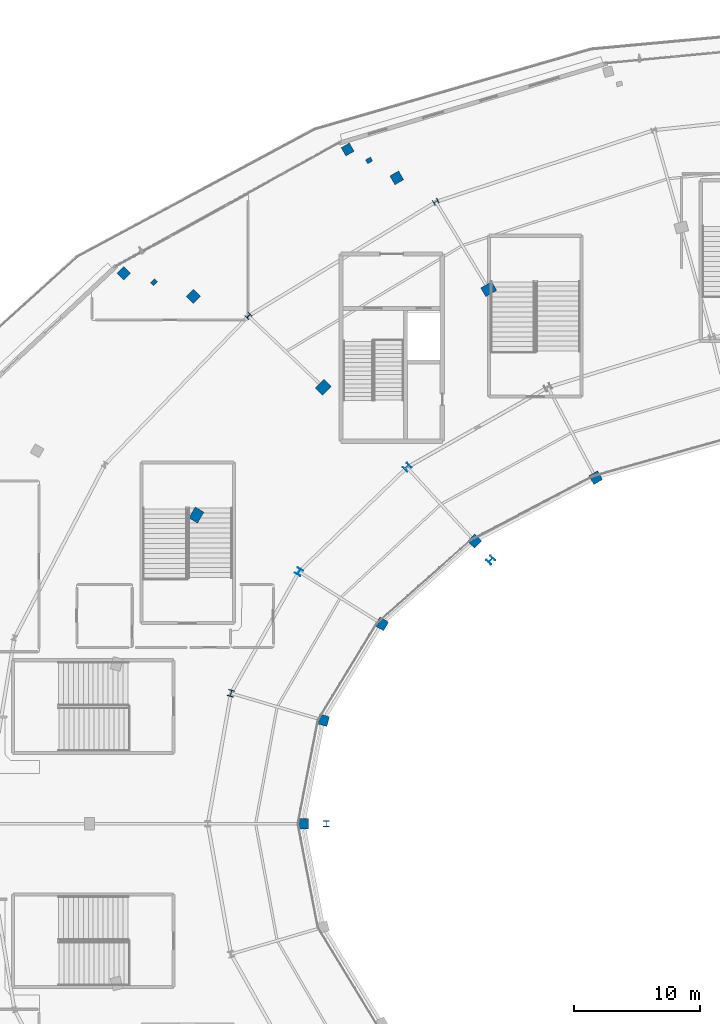
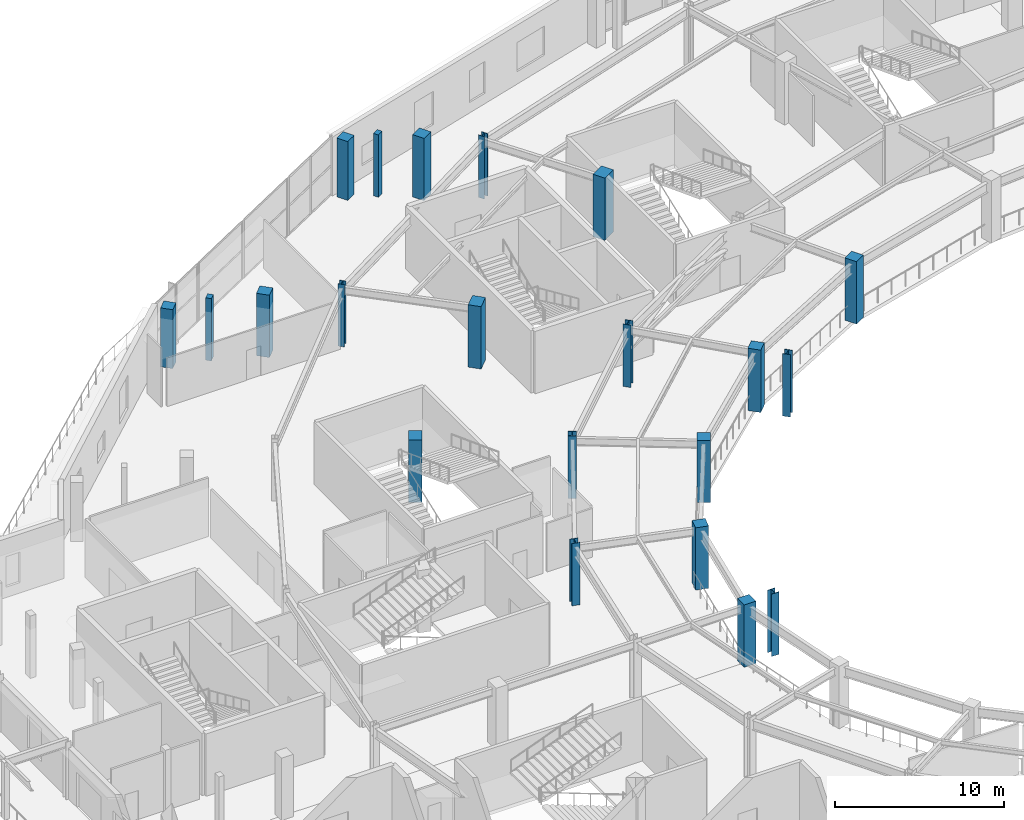
# One storey, part 7 of 107: 21 columns.
"""IFC4 building model written with IfcOpenShell, lengths in metres."""

from ifc_helpers import new_model, si_unit, direction, frame, origin, origin_2d, place, context, subcontext, project, spatial, rectangle, i_section, extrude, material, material_profile, profile_set, type_object, element, save


model = new_model("IFC4")

# Units and contexts
model_context = context("Model", 3, precision=1e-05, world=origin(), true_north=direction((0.0, 1.0)))
body_context = subcontext(model_context, "Body", "Model", "MODEL_VIEW")
ifc_project = project(units=[si_unit("LENGTHUNIT", "METRE"), si_unit("AREAUNIT", "SQUARE_METRE"), si_unit("VOLUMEUNIT", "CUBIC_METRE"), si_unit("PLANEANGLEUNIT", "RADIAN"), si_unit("MASSUNIT", "GRAM", prefix="KILO")], contexts=[model_context])

# Site, building, storey
site_placement = place(None, origin())
site = spatial("IfcSite", under=ifc_project, at=site_placement, CompositionType="ELEMENT")
building_placement = place(site_placement, origin())
building = spatial("IfcBuilding", under=site, at=building_placement, Name="Kalgoora Escarpment Arena", CompositionType="ELEMENT")
storey_placement = place(building_placement, frame((0.0, 0.0, 5.39990234375)))
storey = spatial("IfcBuildingStorey", under=building, at=storey_placement, Name="L01", CompositionType="ELEMENT", Elevation=5.39990234375)

# Columns
ifc_material_1 = material(Name="Structural steel Grade 350 (350 MPa)", Category="steel")
ifc_material_profile_1 = material_profile(ifc_material_1, i_section(OverallWidth=0.39990234375, OverallDepth=0.39990234375, WebThickness=0.01806640625, FlangeThickness=0.031982421875, at=origin_2d()))
ifc_profile_set_1 = profile_set([ifc_material_profile_1], Name="Structural steel Grade 350 (350 MPa)")
column_type_1 = type_object("IfcColumnType", Name="COL-COL-400WC270", PredefinedType="COLUMN", material=ifc_profile_set_1)
for number, where, z_axis, x_axis, name in (
    (1, (56.5, 113.36328125, 0.0), (0.0, 0.0, 1.0), (-0.5, 0.866025403784, 0.0), "L01 structural column COL-RCONC2-R09"),
    (2, (41.629638671875, 104.30517578125, 0.0), (0.0, 0.0, 1.0), (-0.707106781187, 0.707106781187, 0.0), "L01 structural column COL-RCONC2-R10"),
):
    element("IfcColumn", number, at=place(storey_placement, frame(where, z_axis=z_axis, x_axis=x_axis)), inside=storey, type_object=column_type_1, Name=name, PredefinedType="COLUMN", context=body_context, shape_type="SweptSolid", body=[
        extrude(i_section(OverallWidth=0.39990234375, OverallDepth=0.39990234375, WebThickness=0.01806640625, FlangeThickness=0.031982421875, at=origin_2d()), origin(), (0.0, 0.0, 1.0), 4.5),
    ])
ifc_material_2 = material(Name="Structural steel Grade 350 (350 MPa)", Category="steel")
ifc_material_profile_2 = material_profile(ifc_material_2, i_section(OverallWidth=0.5, OverallDepth=0.5, WebThickness=0.02001953125, FlangeThickness=0.034912109375, at=origin_2d()))
ifc_profile_set_2 = profile_set([ifc_material_profile_2], Name="Structural steel Grade 350 (350 MPa)")
column_type_2 = type_object("IfcColumnType", Name="COL-COL-500WC340", PredefinedType="COLUMN", material=ifc_profile_set_2)
for number, where, z_axis, x_axis, name in (
    (3, (54.21630859375, 92.2841796875, 0.0), (0.0, 0.0, 1.0), (-0.707106781187, 0.707106781187, 0.0), "L01 structural column COL-RMAIN-R10"),
    (4, (45.634521484375, 84.0, 0.0), (0.0, 0.0, 1.0), (-0.866025403784, 0.5, 0.0), "L01 structural column COL-RMAIN-R11"),
    (5, (40.239990234375, 74.352783203125, 0.0), (0.0, 0.0, 1.0), (-0.965925826289, 0.258819045103, 0.0), "L01 structural column COL-RMAIN-R12"),
    (6, (60.863037109375, 84.930419921875, 0.0), (0.0, 0.0, 1.0), (-0.707106781187, 0.707106781187, 0.0), "L01 structural column COL-TSPINE-S04"),
    (7, (47.800048828125, 64.0, 0.0), (0.0, 0.0, 1.0), (-1.0, 0.0, 0.0), "L01 structural column COL-TSPINE-S05"),
):
    element("IfcColumn", number, at=place(storey_placement, frame(where, z_axis=z_axis, x_axis=x_axis)), inside=storey, type_object=column_type_2, Name=name, PredefinedType="COLUMN", context=body_context, shape_type="SweptSolid", body=[
        extrude(i_section(OverallWidth=0.5, OverallDepth=0.5, WebThickness=0.02001953125, FlangeThickness=0.034912109375, at=origin_2d()), origin(), (0.0, 0.0, 1.0), 4.5),
    ])
ifc_material_3 = material(Name="Concrete N50 (fc' 50 MPa)", Category="concrete")
ifc_material_profile_3 = material_profile(ifc_material_3, rectangle(XDim=0.800048828125, YDim=1.0, at=origin_2d()))
ifc_profile_set_3 = profile_set([ifc_material_profile_3], Name="Concrete N50 (fc' 50 MPa)")
column_type_3 = type_object("IfcColumnType", Name="COL-COL-RC1000x800", PredefinedType="COLUMN", material=ifc_profile_set_3)
for number, where, z_axis, x_axis, name in (
    (8, (60.699951171875, 106.435302734375, 0.0), (0.0, 0.0, 1.0), (-0.5, 0.866025403784, 0.0), "L01 structural column COL-RCONC1-R09"),
    (9, (47.5693359375, 98.648193359375, 0.0), (0.0, 0.0, 1.0), (-0.707106781187, 0.707106781187, 0.0), "L01 structural column COL-RCONC1-R10"),
    (10, (37.493896484375, 88.5, 0.0), (0.0, 0.0, 1.0), (-0.866025403784, 0.5, 0.0), "L01 structural column COL-RCONC1-R11"),
):
    element("IfcColumn", number, at=place(storey_placement, frame(where, z_axis=z_axis, x_axis=x_axis)), inside=storey, type_object=column_type_3, Name=name, PredefinedType="COLUMN", context=body_context, shape_type="SweptSolid", body=[
        extrude(rectangle(XDim=0.800048828125, YDim=1.0, at=origin_2d()), origin(), (0.0, 0.0, 1.0), 4.5),
    ])
ifc_material_4 = material(Name="Concrete N50 (fc' 50 MPa)", Category="concrete")
ifc_material_profile_4 = material_profile(ifc_material_4, rectangle(XDim=0.75, YDim=0.75, at=origin_2d()))
ifc_profile_set_4 = profile_set([ifc_material_profile_4], Name="Concrete N50 (fc' 50 MPa)")
column_type_4 = type_object("IfcColumnType", Name="COL-COL-RC750x750", PredefinedType="COLUMN", material=ifc_profile_set_4)
for number, where, z_axis, x_axis, name in (
    (11, (49.5, 117.5205078125, 0.0), (0.0, 0.0, 1.0), (-0.5, 0.866025403784, 0.0), "L01 structural column COL-RBASE2-R09"),
    (12, (31.730224609375, 107.69921875, 0.0), (0.0, 0.0, 1.0), (-0.707106781187, 0.707106781187, 0.0), "L01 structural column COL-RBASE2-R10"),
):
    element("IfcColumn", number, at=place(storey_placement, frame(where, z_axis=z_axis, x_axis=x_axis)), inside=storey, type_object=column_type_4, Name=name, PredefinedType="COLUMN", context=body_context, shape_type="SweptSolid", body=[
        extrude(rectangle(XDim=0.75, YDim=0.75, at=origin_2d()), origin(), (0.0, 0.0, 1.0), 4.25),
    ])
ifc_material_5 = material(Name="Concrete N50 (fc' 50 MPa)", Category="concrete")
ifc_material_profile_5 = material_profile(ifc_material_5, rectangle(XDim=0.800048828125, YDim=0.800048828125, at=origin_2d()))
ifc_profile_set_5 = profile_set([ifc_material_profile_5], Name="Concrete N50 (fc' 50 MPa)")
column_type_5 = type_object("IfcColumnType", Name="COL-COL-RC800x800", PredefinedType="COLUMN", material=ifc_profile_set_5)
for number, where, z_axis, x_axis, name in (
    (13, (69.195068359375, 91.47021484375, 0.0), (0.0, 0.0, 1.0), (-0.5, 0.866025403784, 0.0), "L01 structural column COL-RMID-R09"),
    (14, (59.583251953125, 86.429443359375, 0.0), (0.0, 0.0, 1.0), (-0.707106781187, 0.707106781187, 0.0), "L01 structural column COL-RMID-R10"),
    (15, (52.207763671875, 79.860107421875, 0.0), (0.0, 0.0, 1.0), (-0.866025403784, 0.5, 0.0), "L01 structural column COL-RMID-R11"),
    (16, (47.5712890625, 72.209716796875, 0.0), (0.0, 0.0, 1.0), (-0.965925826289, 0.258819045103, 0.0), "L01 structural column COL-RMID-R12"),
    (17, (45.989990234375, 64.0, 0.0), (0.0, 0.0, 1.0), (-1.0, 0.0, 0.0), "L01 structural column COL-RMID-R13"),
    (18, (53.39990234375, 115.268798828125, 0.0), (0.0, 0.0, 1.0), (-0.5, 0.866025403784, 0.0), "L01 structural column COL-RBASE1-R09"),
    (19, (37.24560546875, 105.860595703125, 0.0), (0.0, 0.0, 1.0), (-0.707106781187, 0.707106781187, 0.0), "L01 structural column COL-RBASE1-R10"),
):
    element("IfcColumn", number, at=place(storey_placement, frame(where, z_axis=z_axis, x_axis=x_axis)), inside=storey, type_object=column_type_5, Name=name, PredefinedType="COLUMN", context=body_context, shape_type="SweptSolid", body=[
        extrude(rectangle(XDim=0.800048828125, YDim=0.800048828125, at=origin_2d()), origin(), (0.0, 0.0, 1.0), 4.5),
    ])
ifc_material_6 = material(Name="Precast concrete N50 (fc' 50 MPa)", Category="concrete")
ifc_material_profile_6 = material_profile(ifc_material_6, rectangle(XDim=0.35009765625, YDim=0.449951171875, at=origin_2d()))
ifc_profile_set_6 = profile_set([ifc_material_profile_6], Name="Precast concrete N50 (fc' 50 MPa)")
column_type_6 = type_object("IfcColumnType", Name="COL-PIL-PC-PILASTER-450x350", PredefinedType="PILASTER", material=ifc_profile_set_6)
for number, where, z_axis, x_axis, name in (
    (20, (51.199951171875, 116.654052734375, 0.0), (0.0, 0.0, 1.0), (-0.5, 0.866025403784, 0.0), "L01 fluted pilaster PIL-054"),
    (21, (34.134033203125, 106.991943359375, 0.0), (0.0, 0.0, 1.0), (-0.707106781187, 0.707106781187, 0.0), "L01 fluted pilaster PIL-055"),
):
    element("IfcColumn", number, at=place(storey_placement, frame(where, z_axis=z_axis, x_axis=x_axis)), inside=storey, type_object=column_type_6, Name=name, PredefinedType="PILASTER", context=body_context, shape_type="SweptSolid", body=[
        extrude(rectangle(XDim=0.35009765625, YDim=0.449951171875, at=origin_2d()), origin(), (0.0, 0.0, 1.0), 4.5),
    ])

save(model, "model.ifc")
